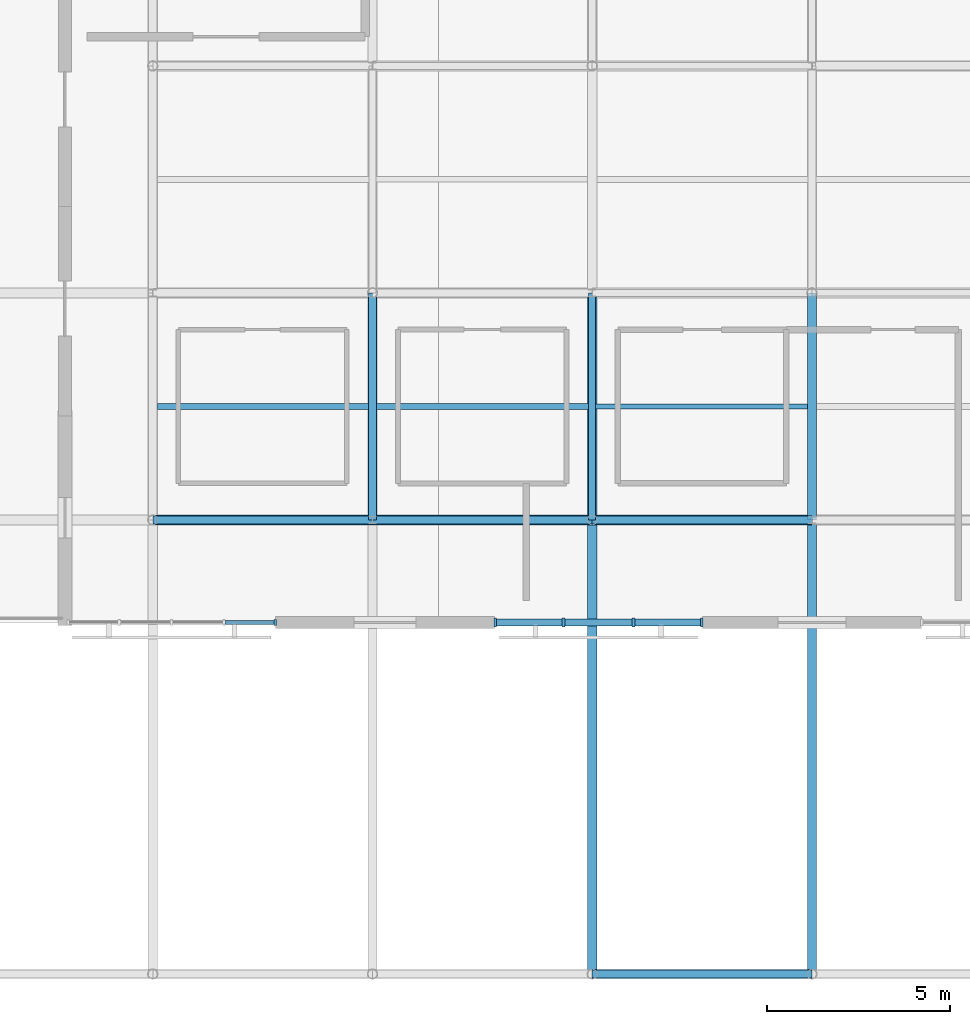
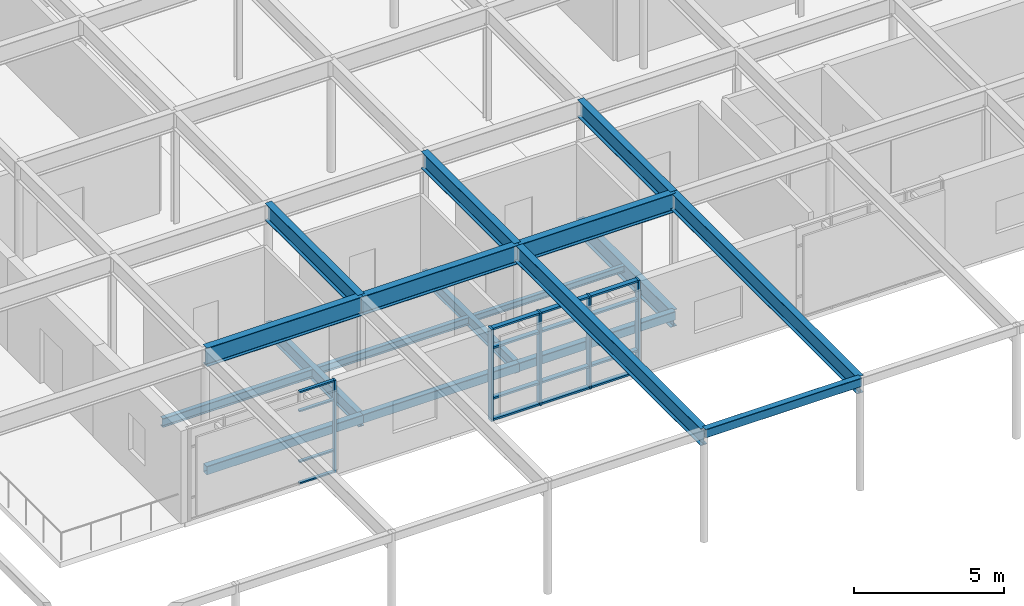
# One storey, part 22 of 48: 21 members, 18 beams, 2 elements without a shape of their own.
"""IFC4 building model written with IfcOpenShell, lengths in metres."""

from ifc_helpers import new_model, si_unit, direction, frame, origin, origin_2d, place, context, subcontext, project, spatial, rectangle, hollow_rectangle, i_section, extrude, material, layer, layer_set, material_profile, profile_set, type_object, element, aggregate, save


model = new_model("IFC4")

# Units and contexts
model_context = context("Model", 3, precision=1e-05, world=origin(), true_north=direction((0.0, 1.0)))
body_context = subcontext(model_context, "Body", "Model", "MODEL_VIEW")
ifc_project = project(units=[si_unit("LENGTHUNIT", "METRE"), si_unit("AREAUNIT", "SQUARE_METRE"), si_unit("VOLUMEUNIT", "CUBIC_METRE"), si_unit("PLANEANGLEUNIT", "RADIAN"), si_unit("MASSUNIT", "GRAM", prefix="KILO")], contexts=[model_context])

# Site, building, storey
site_placement = place(None, origin())
site = spatial("IfcSite", under=ifc_project, at=site_placement, CompositionType="ELEMENT")
building_placement = place(site_placement, origin())
building = spatial("IfcBuilding", under=site, at=building_placement, Name="Mirzam Square Science Centre", CompositionType="ELEMENT")
storey_placement = place(building_placement, frame((0.0, 0.0, 20.39990234375)))
storey = spatial("IfcBuildingStorey", under=building, at=storey_placement, Name="L04", CompositionType="ELEMENT", Elevation=20.39990234375)

# Beams
ifc_material_1 = material(Name="Steel S355", Category="steel")
ifc_material_profile_1 = material_profile(ifc_material_1, i_section(OverallWidth=0.19140625, OverallDepth=0.4599609375, WebThickness=0.010009765625, FlangeThickness=0.01611328125, FilletRadius=0.01025390625, at=origin_2d()), Name="457x191x82UB")
ifc_profile_set_1 = profile_set([ifc_material_profile_1], Name="Steel S355")
beam_type_1 = type_object("IfcBeamType", Name="BM-UB457", PredefinedType="BEAM", material=ifc_profile_set_1)
beam_1_placement = place(storey_placement, frame((126.0, 49.60009765625, -0.47998046875), z_axis=(0.0, 1.0, 0.0), x_axis=(-1.0, 0.0, 0.0)))
element("IfcBeam", 1, at=beam_1_placement, inside=storey, type_object=beam_type_1, Name="L04 girder Y22-9", PredefinedType="BEAM", context=body_context, shape_type="SweptSolid", body=[
    extrude(i_section(OverallWidth=0.19140625, OverallDepth=0.4599609375, WebThickness=0.010009765625, FlangeThickness=0.01611328125, FilletRadius=0.01025390625, at=origin_2d()), origin(), (0.0, 0.0, 1.0), 6.199951171875),
])
ifc_material_profile_2 = material_profile(ifc_material_1, i_section(OverallWidth=0.2099609375, OverallDepth=0.53662109375, WebThickness=0.0107421875, FlangeThickness=0.017333984375, FilletRadius=0.0126953125, at=origin_2d()), Name="533x210x101UB")
ifc_profile_set_2 = profile_set([ifc_material_profile_2], Name="Steel S355")
beam_type_2 = type_object("IfcBeamType", Name="BM-UB533", PredefinedType="BEAM", material=ifc_profile_set_2)
beam_2_placement = place(storey_placement, frame((120.0, 49.60009765625, -0.518310546875), z_axis=(0.0, 1.0, 0.0), x_axis=(-1.0, 0.0, 0.0)))
element("IfcBeam", 2, at=beam_2_placement, inside=storey, type_object=beam_type_2, Name="L04 girder Y21-9", PredefinedType="BEAM", context=body_context, shape_type="SweptSolid", body=[
    extrude(i_section(OverallWidth=0.2099609375, OverallDepth=0.53662109375, WebThickness=0.0107421875, FlangeThickness=0.017333984375, FilletRadius=0.0126953125, at=origin_2d()), origin(), (0.0, 0.0, 1.0), 6.199951171875),
])
ifc_material_profile_3 = material_profile(ifc_material_1, i_section(OverallWidth=0.25439453125, OverallDepth=0.6875, WebThickness=0.01318359375, FlangeThickness=0.02099609375, FilletRadius=0.01513671875, at=origin_2d()), Name="686x254x152UB")
ifc_profile_set_3 = profile_set([ifc_material_profile_3], Name="Steel S355")
beam_type_3 = type_object("IfcBeamType", Name="BM-UB686", PredefinedType="BEAM", material=ifc_profile_set_3)
for number, where, z_axis, x_axis, name in (
    (3, (132.0, 49.60009765625, -0.59375), (0.0, 1.0, 0.0), (-1.0, 0.0, 0.0), "L04 girder Y23-9"),
    (4, (120.0, 49.60009765625, 4.226318359375), (0.0, 1.0, 0.0), (-1.0, 0.0, 0.0), "Parasol roof girder X21 Y9-10"),
):
    element("IfcBeam", number, at=place(storey_placement, frame(where, z_axis=z_axis, x_axis=x_axis)), inside=storey, type_object=beam_type_3, Name=name, PredefinedType="BEAM", context=body_context, shape_type="SweptSolid", body=[
        extrude(i_section(OverallWidth=0.25439453125, OverallDepth=0.6875, WebThickness=0.01318359375, FlangeThickness=0.02099609375, FilletRadius=0.01513671875, at=origin_2d()), origin(), (0.0, 0.0, 1.0), 6.199951171875),
    ])
beam_3_placement = place(storey_placement, frame((126.0, 37.199951171875, 4.226318359375), z_axis=(0.0, 1.0, 0.0), x_axis=(-1.0, 0.0, 0.0)))
element("IfcBeam", 5, at=beam_3_placement, inside=storey, type_object=beam_type_3, Name="Parasol roof girder X22 Y7-9", PredefinedType="BEAM", context=body_context, shape_type="SweptSolid", body=[
    extrude(i_section(OverallWidth=0.25439453125, OverallDepth=0.6875, WebThickness=0.01318359375, FlangeThickness=0.02099609375, FilletRadius=0.01513671875, at=origin_2d()), origin(), (0.0, 0.0, 1.0), 12.400146484375),
])
beam_4_placement = place(storey_placement, frame((126.0, 49.60009765625, 4.226318359375), z_axis=(0.0, 1.0, 0.0), x_axis=(-1.0, 0.0, 0.0)))
element("IfcBeam", 6, at=beam_4_placement, inside=storey, type_object=beam_type_3, Name="Parasol roof girder X22 Y9-10", PredefinedType="BEAM", context=body_context, shape_type="SweptSolid", body=[
    extrude(i_section(OverallWidth=0.25439453125, OverallDepth=0.6875, WebThickness=0.01318359375, FlangeThickness=0.02099609375, FilletRadius=0.01513671875, at=origin_2d()), origin(), (0.0, 0.0, 1.0), 6.199951171875),
])
beam_5_placement = place(storey_placement, frame((132.0, 37.199951171875, 4.226318359375), z_axis=(0.0, 1.0, 0.0), x_axis=(-1.0, 0.0, 0.0)))
element("IfcBeam", 7, at=beam_5_placement, inside=storey, type_object=beam_type_3, Name="Parasol roof girder X23 Y7-9", PredefinedType="BEAM", context=body_context, shape_type="SweptSolid", body=[
    extrude(i_section(OverallWidth=0.25439453125, OverallDepth=0.6875, WebThickness=0.01318359375, FlangeThickness=0.02099609375, FilletRadius=0.01513671875, at=origin_2d()), origin(), (0.0, 0.0, 1.0), 12.400146484375),
])
beam_6_placement = place(storey_placement, frame((132.0, 49.60009765625, 4.226318359375), z_axis=(0.0, 1.0, 0.0), x_axis=(-1.0, 0.0, 0.0)))
element("IfcBeam", 8, at=beam_6_placement, inside=storey, type_object=beam_type_3, Name="Parasol roof girder X23 Y9-10", PredefinedType="BEAM", context=body_context, shape_type="SweptSolid", body=[
    extrude(i_section(OverallWidth=0.25439453125, OverallDepth=0.6875, WebThickness=0.01318359375, FlangeThickness=0.02099609375, FilletRadius=0.01513671875, at=origin_2d()), origin(), (0.0, 0.0, 1.0), 6.199951171875),
])
ifc_material_profile_4 = material_profile(ifc_material_1, i_section(OverallWidth=0.2666015625, OverallDepth=0.76220703125, WebThickness=0.014404296875, FlangeThickness=0.021484375, FilletRadius=0.0166015625, at=origin_2d()), Name="762x267x173UB")
ifc_profile_set_4 = profile_set([ifc_material_profile_4], Name="Steel S355")
beam_type_4 = type_object("IfcBeamType", Name="BM-UB762", PredefinedType="BEAM", material=ifc_profile_set_4)
for number, where, z_axis, x_axis, name in (
    (9, (114.0, 49.60009765625, 4.18896484375), (1.0, 0.0, 0.0), (0.0, 1.0, 0.0), "Parasol roof girder Y9 X20-21"),
    (10, (120.0, 49.60009765625, 4.18896484375), (1.0, 0.0, 0.0), (0.0, 1.0, 0.0), "Parasol roof girder Y9 X21-22"),
    (11, (126.0, 49.60009765625, 4.18896484375), (1.0, 0.0, 0.0), (0.0, 1.0, 0.0), "Parasol roof girder Y9 X22-23"),
):
    element("IfcBeam", number, at=place(storey_placement, frame(where, z_axis=z_axis, x_axis=x_axis)), inside=storey, type_object=beam_type_4, Name=name, PredefinedType="BEAM", context=body_context, shape_type="SweptSolid", body=[
        extrude(i_section(OverallWidth=0.2666015625, OverallDepth=0.76220703125, WebThickness=0.014404296875, FlangeThickness=0.021484375, FilletRadius=0.0166015625, at=origin_2d()), origin(), (0.0, 0.0, 1.0), 6.0),
    ])

# Curtain wall, member
ifc_material_2 = material(Name="Anodised Aluminium and Low-E Solar Glass", Category="aluminium")
ifc_layer_1 = layer(ifc_material_2, 0.159912109375)
ifc_layer_set_1 = layer_set([ifc_layer_1], Name="CW-COURT-B")
curtain_wall_type_1 = type_object("IfcCurtainWallType", Name="CW-COURT-B", PredefinedType="USERDEFINED", material=ifc_layer_set_1)
curtain_wall_1_placement = place(storey_placement, origin())
curtain_wall_1 = element("IfcCurtainWall", 12, at=curtain_wall_1_placement, inside=storey, type_object=curtain_wall_type_1, Name="L04 unitised curtain wall 146", ObjectType="UNITISED CURTAIN WALL", PredefinedType="USERDEFINED")
ifc_material_3 = material(Name="Anodised Architectural Aluminium 6063-T6", Category="aluminium")
ifc_material_profile_5 = material_profile(ifc_material_3, rectangle(XDim=0.06005859375, YDim=0.159912109375, at=origin_2d()), Name="ALU-MULL-160x60x4")
ifc_profile_set_5 = profile_set([ifc_material_profile_5], Name="Anodised Architectural Aluminium 6063-T6")
member_type_1 = type_object("IfcMemberType", Name="CWM-160", PredefinedType="MULLION", material=ifc_profile_set_5)
member_1_placement = place(storey_placement, frame((117.343505859375, 46.800048828125, 0.0), z_axis=(0.0, 0.0, 1.0), x_axis=(1.0, 0.0, 0.0)))
member_1 = element("IfcMember", 13, at=member_1_placement, type_object=member_type_1, Name="CW-04 mullion 5", PredefinedType="MULLION", context=body_context, shape_type="SweptSolid", body=[
    extrude(rectangle(XDim=0.06005859375, YDim=0.159912109375, at=origin_2d()), origin(), (0.0, 0.0, 1.0), 3.760009765625),
])

# Curtain wall, members
ifc_layer_2 = layer(ifc_material_2, 0.239990234375)
ifc_layer_set_2 = layer_set([ifc_layer_2], Name="CW-EAST-B")
curtain_wall_type_2 = type_object("IfcCurtainWallType", Name="CW-EAST-B", PredefinedType="USERDEFINED", material=ifc_layer_set_2)
curtain_wall_2_placement = place(storey_placement, origin())
curtain_wall_2 = element("IfcCurtainWall", 14, at=curtain_wall_2_placement, inside=storey, type_object=curtain_wall_type_2, Name="L04 unitised curtain wall 147", ObjectType="UNITISED CURTAIN WALL", PredefinedType="USERDEFINED")
ifc_material_profile_6 = material_profile(ifc_material_3, rectangle(XDim=0.074951171875, YDim=0.239990234375, at=origin_2d()), Name="ALU-MULL-240x75x5")
ifc_profile_set_6 = profile_set([ifc_material_profile_6], Name="Anodised Architectural Aluminium 6063-T6")
member_type_2 = type_object("IfcMemberType", Name="CWM-240", PredefinedType="MULLION", material=ifc_profile_set_6)
member_2_placement = place(storey_placement, frame((123.349609375, 46.800048828125, 0.0), z_axis=(0.0, 0.0, 1.0), x_axis=(1.0, 0.0, 0.0)))
member_2 = element("IfcMember", 15, at=member_2_placement, type_object=member_type_2, Name="CW-06 mullion 1", PredefinedType="MULLION", context=body_context, shape_type="SweptSolid", body=[
    extrude(rectangle(XDim=0.074951171875, YDim=0.239990234375, at=origin_2d()), origin(), (0.0, 0.0, 1.0), 3.760009765625),
])
member_3_placement = place(storey_placement, frame((125.21826171875, 46.800048828125, 0.0), z_axis=(0.0, 0.0, 1.0), x_axis=(1.0, 0.0, 0.0)))
member_3 = element("IfcMember", 16, at=member_3_placement, type_object=member_type_2, Name="CW-06 mullion 2", PredefinedType="MULLION", context=body_context, shape_type="SweptSolid", body=[
    extrude(rectangle(XDim=0.074951171875, YDim=0.239990234375, at=origin_2d()), origin(), (0.0, 0.0, 1.0), 3.760009765625),
])
member_4_placement = place(storey_placement, frame((127.12451171875, 46.800048828125, 0.0), z_axis=(0.0, 0.0, 1.0), x_axis=(1.0, 0.0, 0.0)))
member_4 = element("IfcMember", 17, at=member_4_placement, type_object=member_type_2, Name="CW-06 mullion 3", PredefinedType="MULLION", context=body_context, shape_type="SweptSolid", body=[
    extrude(rectangle(XDim=0.074951171875, YDim=0.239990234375, at=origin_2d()), origin(), (0.0, 0.0, 1.0), 3.760009765625),
])
member_5_placement = place(storey_placement, frame((128.9931640625, 46.800048828125, 0.0), z_axis=(0.0, 0.0, 1.0), x_axis=(1.0, 0.0, 0.0)))
member_5 = element("IfcMember", 18, at=member_5_placement, type_object=member_type_2, Name="CW-06 mullion 4", PredefinedType="MULLION", context=body_context, shape_type="SweptSolid", body=[
    extrude(rectangle(XDim=0.074951171875, YDim=0.239990234375, at=origin_2d()), origin(), (0.0, 0.0, 1.0), 3.760009765625),
])

# Member
ifc_material_profile_7 = material_profile(ifc_material_3, rectangle(XDim=0.1201171875, YDim=0.06005859375, at=origin_2d()), Name="ALU-TRAN-120x60x4")
ifc_profile_set_7 = profile_set([ifc_material_profile_7], Name="Anodised Architectural Aluminium 6063-T6")
member_type_3 = type_object("IfcMemberType", Name="CWT-120", PredefinedType="USERDEFINED", material=ifc_profile_set_7)
member_6_placement = place(storey_placement, frame((115.973876953125, 46.800048828125, 0.030029296875), z_axis=(1.0, 0.0, 0.0), x_axis=(0.0, 1.0, 0.0)))
member_6 = element("IfcMember", 19, at=member_6_placement, type_object=member_type_3, Name="CW-04 transom 4.1", ObjectType="TRANSOM", PredefinedType="USERDEFINED", context=body_context, shape_type="SweptSolid", body=[
    extrude(rectangle(XDim=0.1201171875, YDim=0.06005859375, at=origin_2d()), origin(), (0.0, 0.0, 1.0), 1.33984375),
])

member_7_placement = place(storey_placement, frame((115.973876953125, 46.800048828125, 0.900146484375), z_axis=(1.0, 0.0, 0.0), x_axis=(0.0, 1.0, 0.0)))
member_7 = element("IfcMember", 20, at=member_7_placement, type_object=member_type_3, Name="CW-04 transom 4.2", ObjectType="TRANSOM", PredefinedType="USERDEFINED", context=body_context, shape_type="SweptSolid", body=[
    extrude(rectangle(XDim=0.1201171875, YDim=0.06005859375, at=origin_2d()), origin(), (0.0, 0.0, 1.0), 1.33984375),
])

member_8_placement = place(storey_placement, frame((115.973876953125, 46.800048828125, 2.960205078125), z_axis=(1.0, 0.0, 0.0), x_axis=(0.0, 1.0, 0.0)))
member_8 = element("IfcMember", 21, at=member_8_placement, type_object=member_type_3, Name="CW-04 transom 4.3", ObjectType="TRANSOM", PredefinedType="USERDEFINED", context=body_context, shape_type="SweptSolid", body=[
    extrude(rectangle(XDim=0.1201171875, YDim=0.06005859375, at=origin_2d()), origin(), (0.0, 0.0, 1.0), 1.33984375),
])

member_9_placement = place(storey_placement, frame((115.973876953125, 46.800048828125, 3.72998046875), z_axis=(1.0, 0.0, 0.0), x_axis=(0.0, 1.0, 0.0)))
member_9 = element("IfcMember", 22, at=member_9_placement, type_object=member_type_3, Name="CW-04 transom 4.4", ObjectType="TRANSOM", PredefinedType="USERDEFINED", context=body_context, shape_type="SweptSolid", body=[
    extrude(rectangle(XDim=0.1201171875, YDim=0.06005859375, at=origin_2d()), origin(), (0.0, 0.0, 1.0), 1.33984375),
])

aggregate(curtain_wall_1, [member_1, member_6, member_7, member_8, member_9])

ifc_material_profile_8 = material_profile(ifc_material_3, rectangle(XDim=0.179931640625, YDim=0.074951171875, at=origin_2d()), Name="ALU-TRAN-180x75x5")
ifc_profile_set_8 = profile_set([ifc_material_profile_8], Name="Anodised Architectural Aluminium 6063-T6")
member_type_4 = type_object("IfcMemberType", Name="CWT-180", PredefinedType="USERDEFINED", material=ifc_profile_set_8)
member_10_placement = place(storey_placement, frame((123.38720703125, 46.800048828125, 0.03759765625), z_axis=(1.0, 0.0, 0.0), x_axis=(0.0, 1.0, 0.0)))
member_10 = element("IfcMember", 23, at=member_10_placement, type_object=member_type_4, Name="CW-06 transom 1.1", ObjectType="TRANSOM", PredefinedType="USERDEFINED", context=body_context, shape_type="SweptSolid", body=[
    extrude(rectangle(XDim=0.179931640625, YDim=0.074951171875, at=origin_2d()), origin(), (0.0, 0.0, 1.0), 1.793701171875),
])

member_11_placement = place(storey_placement, frame((123.38720703125, 46.800048828125, 0.900146484375), z_axis=(1.0, 0.0, 0.0), x_axis=(0.0, 1.0, 0.0)))
member_11 = element("IfcMember", 24, at=member_11_placement, type_object=member_type_4, Name="CW-06 transom 1.2", ObjectType="TRANSOM", PredefinedType="USERDEFINED", context=body_context, shape_type="SweptSolid", body=[
    extrude(rectangle(XDim=0.179931640625, YDim=0.074951171875, at=origin_2d()), origin(), (0.0, 0.0, 1.0), 1.793701171875),
])

member_12_placement = place(storey_placement, frame((123.38720703125, 46.800048828125, 2.960205078125), z_axis=(1.0, 0.0, 0.0), x_axis=(0.0, 1.0, 0.0)))
member_12 = element("IfcMember", 25, at=member_12_placement, type_object=member_type_4, Name="CW-06 transom 1.3", ObjectType="TRANSOM", PredefinedType="USERDEFINED", context=body_context, shape_type="SweptSolid", body=[
    extrude(rectangle(XDim=0.179931640625, YDim=0.074951171875, at=origin_2d()), origin(), (0.0, 0.0, 1.0), 1.793701171875),
])

member_13_placement = place(storey_placement, frame((123.38720703125, 46.800048828125, 3.72265625), z_axis=(1.0, 0.0, 0.0), x_axis=(0.0, 1.0, 0.0)))
member_13 = element("IfcMember", 26, at=member_13_placement, type_object=member_type_4, Name="CW-06 transom 1.4", ObjectType="TRANSOM", PredefinedType="USERDEFINED", context=body_context, shape_type="SweptSolid", body=[
    extrude(rectangle(XDim=0.179931640625, YDim=0.074951171875, at=origin_2d()), origin(), (0.0, 0.0, 1.0), 1.793701171875),
])

member_14_placement = place(storey_placement, frame((125.255859375, 46.800048828125, 0.03759765625), z_axis=(1.0, 0.0, 0.0), x_axis=(0.0, 1.0, 0.0)))
member_14 = element("IfcMember", 27, at=member_14_placement, type_object=member_type_4, Name="CW-06 transom 2.1", ObjectType="TRANSOM", PredefinedType="USERDEFINED", context=body_context, shape_type="SweptSolid", body=[
    extrude(rectangle(XDim=0.179931640625, YDim=0.074951171875, at=origin_2d()), origin(), (0.0, 0.0, 1.0), 1.8310546875),
])

member_15_placement = place(storey_placement, frame((125.255859375, 46.800048828125, 0.900146484375), z_axis=(1.0, 0.0, 0.0), x_axis=(0.0, 1.0, 0.0)))
member_15 = element("IfcMember", 28, at=member_15_placement, type_object=member_type_4, Name="CW-06 transom 2.2", ObjectType="TRANSOM", PredefinedType="USERDEFINED", context=body_context, shape_type="SweptSolid", body=[
    extrude(rectangle(XDim=0.179931640625, YDim=0.074951171875, at=origin_2d()), origin(), (0.0, 0.0, 1.0), 1.8310546875),
])

member_16_placement = place(storey_placement, frame((125.255859375, 46.800048828125, 2.960205078125), z_axis=(1.0, 0.0, 0.0), x_axis=(0.0, 1.0, 0.0)))
member_16 = element("IfcMember", 29, at=member_16_placement, type_object=member_type_4, Name="CW-06 transom 2.3", ObjectType="TRANSOM", PredefinedType="USERDEFINED", context=body_context, shape_type="SweptSolid", body=[
    extrude(rectangle(XDim=0.179931640625, YDim=0.074951171875, at=origin_2d()), origin(), (0.0, 0.0, 1.0), 1.8310546875),
])

member_17_placement = place(storey_placement, frame((125.255859375, 46.800048828125, 3.72265625), z_axis=(1.0, 0.0, 0.0), x_axis=(0.0, 1.0, 0.0)))
member_17 = element("IfcMember", 30, at=member_17_placement, type_object=member_type_4, Name="CW-06 transom 2.4", ObjectType="TRANSOM", PredefinedType="USERDEFINED", context=body_context, shape_type="SweptSolid", body=[
    extrude(rectangle(XDim=0.179931640625, YDim=0.074951171875, at=origin_2d()), origin(), (0.0, 0.0, 1.0), 1.8310546875),
])

member_18_placement = place(storey_placement, frame((127.162109375, 46.800048828125, 0.03759765625), z_axis=(1.0, 0.0, 0.0), x_axis=(0.0, 1.0, 0.0)))
member_18 = element("IfcMember", 31, at=member_18_placement, type_object=member_type_4, Name="CW-06 transom 3.1", ObjectType="TRANSOM", PredefinedType="USERDEFINED", context=body_context, shape_type="SweptSolid", body=[
    extrude(rectangle(XDim=0.179931640625, YDim=0.074951171875, at=origin_2d()), origin(), (0.0, 0.0, 1.0), 1.793701171875),
])

member_19_placement = place(storey_placement, frame((127.162109375, 46.800048828125, 0.900146484375), z_axis=(1.0, 0.0, 0.0), x_axis=(0.0, 1.0, 0.0)))
member_19 = element("IfcMember", 32, at=member_19_placement, type_object=member_type_4, Name="CW-06 transom 3.2", ObjectType="TRANSOM", PredefinedType="USERDEFINED", context=body_context, shape_type="SweptSolid", body=[
    extrude(rectangle(XDim=0.179931640625, YDim=0.074951171875, at=origin_2d()), origin(), (0.0, 0.0, 1.0), 1.793701171875),
])

member_20_placement = place(storey_placement, frame((127.162109375, 46.800048828125, 2.960205078125), z_axis=(1.0, 0.0, 0.0), x_axis=(0.0, 1.0, 0.0)))
member_20 = element("IfcMember", 33, at=member_20_placement, type_object=member_type_4, Name="CW-06 transom 3.3", ObjectType="TRANSOM", PredefinedType="USERDEFINED", context=body_context, shape_type="SweptSolid", body=[
    extrude(rectangle(XDim=0.179931640625, YDim=0.074951171875, at=origin_2d()), origin(), (0.0, 0.0, 1.0), 1.793701171875),
])

member_21_placement = place(storey_placement, frame((127.162109375, 46.800048828125, 3.72265625), z_axis=(1.0, 0.0, 0.0), x_axis=(0.0, 1.0, 0.0)))
member_21 = element("IfcMember", 34, at=member_21_placement, type_object=member_type_4, Name="CW-06 transom 3.4", ObjectType="TRANSOM", PredefinedType="USERDEFINED", context=body_context, shape_type="SweptSolid", body=[
    extrude(rectangle(XDim=0.179931640625, YDim=0.074951171875, at=origin_2d()), origin(), (0.0, 0.0, 1.0), 1.793701171875),
])

aggregate(curtain_wall_2, [member_2, member_3, member_4, member_5, member_10, member_11, member_12, member_13, member_14, member_15, member_16, member_17, member_18, member_19, member_20, member_21])

# Beams
ifc_material_profile_9 = material_profile(ifc_material_1, i_section(OverallWidth=0.146484375, OverallDepth=0.256103515625, WebThickness=0.00634765625, FlangeThickness=0.010986328125, FilletRadius=0.007568359375, at=origin_2d()), Name="254x146x37UB")
ifc_profile_set_9 = profile_set([ifc_material_profile_9], Name="Steel S355")
beam_type_5 = type_object("IfcBeamType", Name="JS-UB254", PredefinedType="JOIST", material=ifc_profile_set_9)
beam_7_placement = place(storey_placement, frame((126.095703125, 52.699951171875, -0.3779296875), z_axis=(1.0, 0.0, 0.0), x_axis=(0.0, 1.0, 0.0)))
element("IfcBeam", 35, at=beam_7_placement, inside=storey, type_object=beam_type_5, Name="L04 composite joist 22-9", PredefinedType="JOIST", context=body_context, shape_type="SweptSolid", body=[
    extrude(i_section(OverallWidth=0.146484375, OverallDepth=0.256103515625, WebThickness=0.00634765625, FlangeThickness=0.010986328125, FilletRadius=0.007568359375, at=origin_2d()), origin(), (0.0, 0.0, 1.0), 5.777099609375),
])
ifc_material_profile_10 = material_profile(ifc_material_1, i_section(OverallWidth=0.165771484375, OverallDepth=0.306640625, WebThickness=0.006591796875, FlangeThickness=0.01171875, FilletRadius=0.0087890625, at=origin_2d()), Name="305x165x46UB")
ifc_profile_set_10 = profile_set([ifc_material_profile_10], Name="Steel S355")
beam_type_6 = type_object("IfcBeamType", Name="JS-UB305", PredefinedType="JOIST", material=ifc_profile_set_10)
beam_8_placement = place(storey_placement, frame((120.10498046875, 52.699951171875, -0.4033203125), z_axis=(1.0, 0.0, 0.0), x_axis=(0.0, 1.0, 0.0)))
element("IfcBeam", 36, at=beam_8_placement, inside=storey, type_object=beam_type_6, Name="L04 composite joist 21-9", PredefinedType="JOIST", context=body_context, shape_type="SweptSolid", body=[
    extrude(i_section(OverallWidth=0.165771484375, OverallDepth=0.306640625, WebThickness=0.006591796875, FlangeThickness=0.01171875, FilletRadius=0.0087890625, at=origin_2d()), origin(), (0.0, 0.0, 1.0), 5.79931640625),
])
ifc_material_profile_11 = material_profile(ifc_material_1, i_section(OverallWidth=0.172119140625, OverallDepth=0.35791015625, WebThickness=0.008056640625, FlangeThickness=0.012939453125, FilletRadius=0.01025390625, at=origin_2d()), Name="356x171x57UB")
ifc_profile_set_11 = profile_set([ifc_material_profile_11], Name="Steel S355")
beam_type_7 = type_object("IfcBeamType", Name="JS-UB356", PredefinedType="JOIST", material=ifc_profile_set_11)
beam_9_placement = place(storey_placement, frame((114.125, 52.699951171875, -0.428955078125), z_axis=(1.0, 0.0, 0.0), x_axis=(0.0, 1.0, 0.0)))
element("IfcBeam", 37, at=beam_9_placement, inside=storey, type_object=beam_type_7, Name="L04 composite joist 20-9", PredefinedType="JOIST", context=body_context, shape_type="SweptSolid", body=[
    extrude(i_section(OverallWidth=0.172119140625, OverallDepth=0.35791015625, WebThickness=0.008056640625, FlangeThickness=0.012939453125, FilletRadius=0.01025390625, at=origin_2d()), origin(), (0.0, 0.0, 1.0), 5.77001953125),
])
ifc_material_profile_12 = material_profile(ifc_material_1, hollow_rectangle(XDim=0.25, YDim=0.35009765625, WallThickness=0.012451171875, InnerFilletRadius=0.012451171875, OuterFilletRadius=0.02490234375, at=origin_2d()), Name="350x250x12.5RHS")
ifc_profile_set_12 = profile_set([ifc_material_profile_12], Name="Steel S355")
beam_type_8 = type_object("IfcBeamType", Name="SP-RHS350", PredefinedType="SPANDREL", material=ifc_profile_set_12)
for number, where, z_axis, x_axis, name in (
    (38, (114.0, 49.60009765625, -0.4248046875), (1.0, 0.0, 0.0), (0.0, 1.0, 0.0), "L04 girder X20-9"),
    (39, (120.0, 49.60009765625, -0.4248046875), (1.0, 0.0, 0.0), (0.0, 1.0, 0.0), "L04 girder X21-9"),
    (40, (126.0, 49.60009765625, -0.4248046875), (1.0, 0.0, 0.0), (0.0, 1.0, 0.0), "L04 girder X22-9"),
    (41, (126.0, 37.199951171875, 4.39501953125), (1.0, 0.0, 0.0), (0.0, 1.0, 0.0), "Parasol S fascia beam 22"),
):
    element("IfcBeam", number, at=place(storey_placement, frame(where, z_axis=z_axis, x_axis=x_axis)), inside=storey, type_object=beam_type_8, Name=name, PredefinedType="SPANDREL", context=body_context, shape_type="SweptSolid", body=[
        extrude(hollow_rectangle(XDim=0.25, YDim=0.35009765625, WallThickness=0.012451171875, InnerFilletRadius=0.012451171875, OuterFilletRadius=0.02490234375, at=origin_2d()), origin(), (0.0, 0.0, 1.0), 6.0),
    ])

save(model, "model.ifc")
